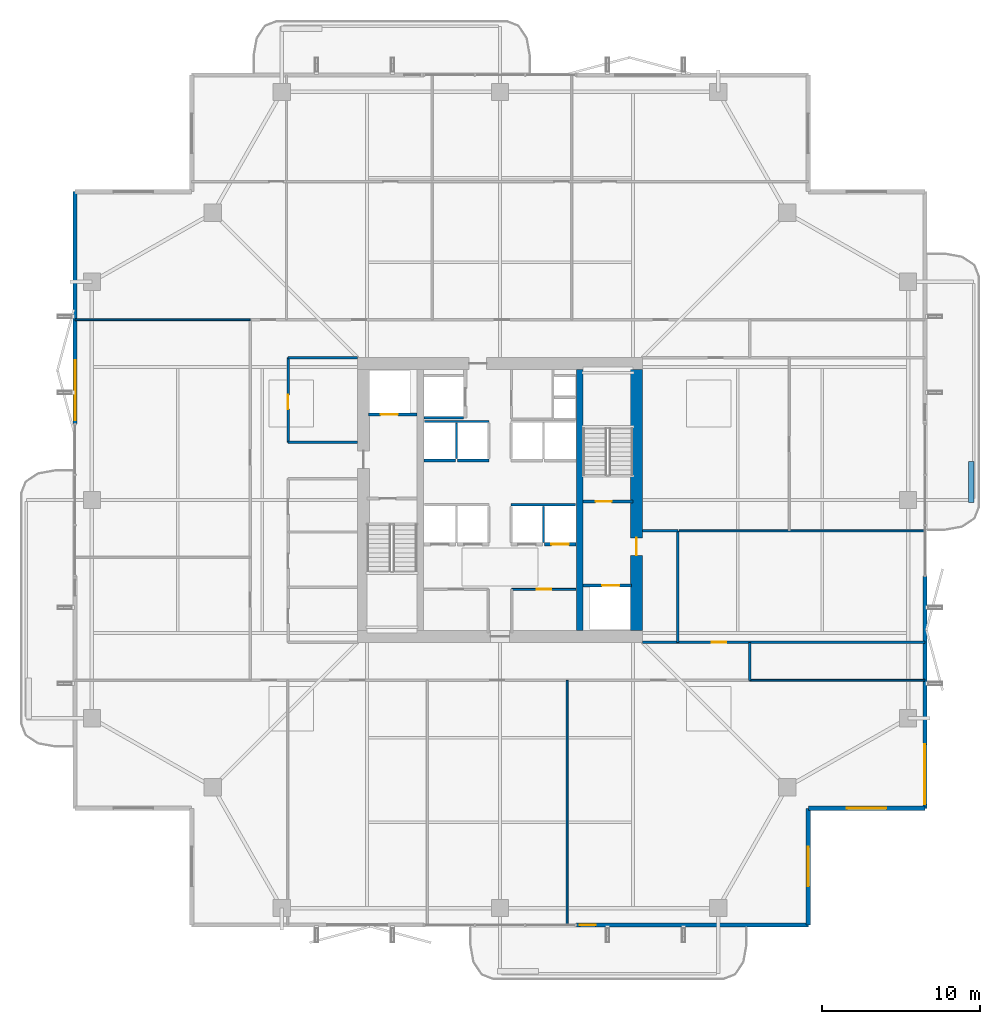
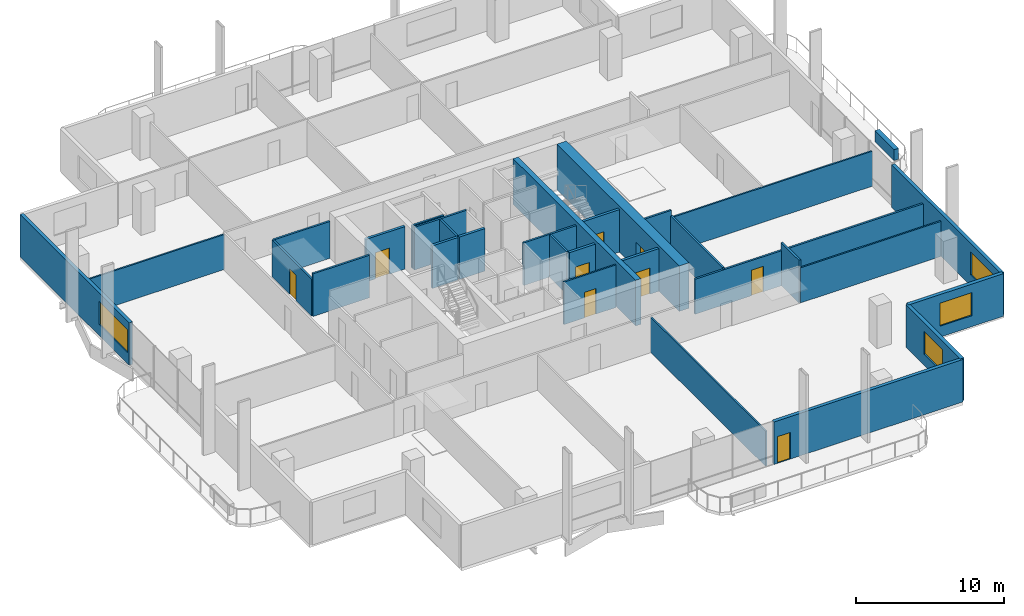
# One storey, part 18 of 24: 31 walls, 9 doors, 4 windows, 13 openings.
"""IFC4 building model written with IfcOpenShell, lengths in metres."""

from ifc_helpers import new_model, si_unit, direction, frame, frame_2d, origin, place, context, subcontext, project, spatial, rectangle, extrude, material, layer, layer_set, type_object, element, fill, save


model = new_model("IFC4")

# Units and contexts
model_context = context("Model", 3, precision=1e-05, world=origin(), true_north=direction((0.0, 1.0)))
body_context = subcontext(model_context, "Body", "Model", "MODEL_VIEW")
ifc_project = project(units=[si_unit("LENGTHUNIT", "METRE"), si_unit("AREAUNIT", "SQUARE_METRE"), si_unit("VOLUMEUNIT", "CUBIC_METRE"), si_unit("PLANEANGLEUNIT", "RADIAN"), si_unit("MASSUNIT", "GRAM", prefix="KILO")], contexts=[model_context])

# Site, building, storey
site_placement = place(None, origin())
site = spatial("IfcSite", under=ifc_project, at=site_placement, CompositionType="ELEMENT")
building_placement = place(site_placement, origin())
building = spatial("IfcBuilding", under=site, at=building_placement, Name="Belovzor Exchange Tower", CompositionType="ELEMENT")
storey_placement = place(building_placement, frame((0.0, 0.0, 203.699951171875)))
storey = spatial("IfcBuildingStorey", under=building, at=storey_placement, Name="L50", CompositionType="ELEMENT", Elevation=203.699951171875)

# Walls
ifc_material_1 = material(Name="Acoustic Plasterboard on Galvanised Studs", Category="gypsum")
ifc_layer_1 = layer(ifc_material_1, 0.1201171875)
ifc_layer_set_1 = layer_set([ifc_layer_1], Name="Acoustic Plasterboard on Galvanised Studs")
wall_type_1 = type_object("IfcWallType", Name="Acoustic Double-Stud Partition Wall 120", PredefinedType="PARTITIONING", material=ifc_layer_set_1)
wall_1_placement = place(storey_placement, frame((33.0400390625, 1.929931640625, 0.0), z_axis=(0.0, 0.0, 1.0), x_axis=(0.0, 1.0, 0.0)))
element("IfcWall", 1, at=wall_1_placement, inside=storey, type_object=wall_type_1, Name="W-P120 Partition Wall W-L50-SDIV-3", PredefinedType="PARTITIONING", context=body_context, shape_type="SweptSolid", body=[
    extrude(rectangle(XDim=15.469970703125, YDim=0.1201171875, at=frame_2d((7.73486328125, 0.0))), origin(), (0.0, 0.0, 1.0), 2.885009765625),
])
wall_2_placement = place(storey_placement, frame((40.125, 26.85009765625, 0.0), z_axis=(0.0, 0.0, 1.0), x_axis=(1.0, 0.0, 0.0)))
element("IfcWall", 2, at=wall_2_placement, inside=storey, type_object=wall_type_1, Name="W-P120 Partition Wall W-L50-EDIV-1", PredefinedType="PARTITIONING", context=body_context, shape_type="SweptSolid", body=[
    extrude(rectangle(XDim=15.544921875, YDim=0.1201171875, at=frame_2d((7.7724609375, 0.0))), origin(), (0.0, 0.0, 1.0), 2.885009765625),
])
wall_3_placement = place(storey_placement, frame((44.60009765625, 17.39990234375, 0.0), z_axis=(0.0, 0.0, 1.0), x_axis=(1.0, 0.0, 0.0)))
element("IfcWall", 3, at=wall_3_placement, inside=storey, type_object=wall_type_1, Name="W-P120 Partition Wall W-L50-END-SE", PredefinedType="PARTITIONING", context=body_context, shape_type="SweptSolid", body=[
    extrude(rectangle(XDim=11.06982421875, YDim=0.1201171875, at=frame_2d((5.534912109375, 0.0))), origin(), (0.0, 0.0, 1.0), 2.885009765625),
])
wall_4_placement = place(storey_placement, frame((1.929931640625, 40.199951171875, 0.0), z_axis=(0.0, 0.0, 1.0), x_axis=(1.0, 0.0, 0.0)))
element("IfcWall", 4, at=wall_4_placement, inside=storey, type_object=wall_type_1, Name="W-P120 Partition Wall W-L50-END-NW", PredefinedType="PARTITIONING", context=body_context, shape_type="SweptSolid", body=[
    extrude(rectangle(XDim=11.070068359375, YDim=0.1201171875, at=frame_2d((5.53515625, 0.0))), origin(), (0.0, 0.0, 1.0), 2.885009765625),
])

# Wall, opening, door
ifc_material_2 = material(Name="Fire-Rated Plasterboard on Galvanised Studs", Category="gypsum")
ifc_layer_2 = layer(ifc_material_2, 0.1201171875)
ifc_layer_set_2 = layer_set([ifc_layer_2], Name="Fire-Rated Plasterboard on Galvanised Studs")
wall_type_2 = type_object("IfcWallType", Name="Fire-Rated Double-Stud Partition Wall 120", PredefinedType="PARTITIONING", material=ifc_layer_set_2)
wall_5_placement = place(storey_placement, frame((29.550048828125, 23.14990234375, 0.0), z_axis=(0.0, 0.0, 1.0), x_axis=(1.0, 0.0, 0.0)))
wall_5 = element("IfcWall", 5, at=wall_5_placement, inside=storey, type_object=wall_type_2, Name="W-P120F Partition Wall W-CRL-L50-EN", PredefinedType="PARTITIONING", context=body_context, shape_type="SweptSolid", body=[
    extrude(rectangle(XDim=4.050048828125, YDim=0.1201171875, at=frame_2d((2.02490234375, 0.0))), origin(), (0.0, 0.0, 1.0), 3.5),
])
opening_1_placement = place(wall_5_placement, frame((1.574951171875, 0.0, 0.0)))
opening_1 = element("IfcOpeningElement", 6, at=opening_1_placement, cuts=wall_5, Name="Opening D-FD60-090", PredefinedType="OPENING", context=body_context, shape_type="SweptSolid", body=[
    extrude(rectangle(XDim=0.89990234375, YDim=2.10009765625, at=frame_2d((0.449951171875, 1.050048828125))), frame((0.0, 0.070068359375, 0.0), z_axis=(0.0, -1.0, 0.0), x_axis=(1.0, 0.0, 0.0)), (0.0, 0.0, 1.0), 0.14013671875),
])
ifc_material_3 = material(Name="Acoustic Timber Fire Leaf", Category="wood")
door_type_1 = type_object("IfcDoorType", Name="Core Service & Restroom Fire Door 900x2100", OperationType="NOTDEFINED", PredefinedType="DOOR", material=ifc_material_3)
door_1_placement = place(opening_1_placement, origin())
door_1 = element("IfcDoor", 7, at=door_1_placement, inside=storey, type_object=door_type_1, Name="D-FD60-090 Core Service & Restroom Fire Door 900x2100", OperationType="SINGLE_SWING_RIGHT", OverallHeight=2.10009765625, OverallWidth=0.89990234375, PredefinedType="DOOR", context=body_context, shape_type="SweptSolid", body=[
    extrude(rectangle(XDim=0.89990234375, YDim=2.10009765625, at=frame_2d((0.449951171875, 1.050048828125))), frame((0.0, 0.02490234375, 0.0), z_axis=(0.0, -1.0, 0.0), x_axis=(1.0, 0.0, 0.0)), (0.0, 0.0, 1.0), 0.050048828125),
])
fill(opening_1, door_1)

# Walls
ifc_material_4 = material(Name="Fire-Rated Gypsum Block and Mineral Wool", Category="gypsum")
ifc_layer_3 = layer(ifc_material_4, 0.14990234375)
ifc_layer_set_3 = layer_set([ifc_layer_3], Name="Fire-Rated Gypsum Block and Mineral Wool")
wall_type_3 = type_object("IfcWallType", Name="Fire-Rated Gypsum Block Corridor Wall 150", PredefinedType="PARTITIONING", material=ifc_layer_set_3)
wall_6_placement = place(storey_placement, frame((15.39990234375, 32.449951171875, 0.0), z_axis=(0.0, 0.0, 1.0), x_axis=(1.0, 0.0, 0.0)))
element("IfcWall", 8, at=wall_6_placement, inside=storey, type_object=wall_type_3, Name="W-P150 Partition Wall W-L50-CFW-N", PredefinedType="PARTITIONING", context=body_context, shape_type="SweptSolid", body=[
    extrude(rectangle(XDim=4.400146484375, YDim=0.14990234375, at=frame_2d((2.2001953125, 0.0))), origin(), (0.0, 0.0, 1.0), 3.5),
])
wall_7_placement = place(storey_placement, frame((15.39990234375, 37.800048828125, 0.0), z_axis=(0.0, 0.0, 1.0), x_axis=(1.0, 0.0, 0.0)))
element("IfcWall", 9, at=wall_7_placement, inside=storey, type_object=wall_type_3, Name="W-P150 Partition Wall W-L50-INW-N", PredefinedType="PARTITIONING", context=body_context, shape_type="SweptSolid", body=[
    extrude(rectangle(XDim=4.400146484375, YDim=0.14990234375, at=frame_2d((2.2001953125, 0.0))), origin(), (0.0, 0.0, 1.0), 3.03515625),
])

# Wall, opening, door
wall_8_placement = place(storey_placement, frame((15.39990234375, 32.449951171875, 0.0), z_axis=(0.0, 0.0, 1.0), x_axis=(0.0, 1.0, 0.0)))
wall_8 = element("IfcWall", 10, at=wall_8_placement, inside=storey, type_object=wall_type_3, Name="W-P150 Partition Wall W-L50-WIE-N", PredefinedType="PARTITIONING", context=body_context, shape_type="SweptSolid", body=[
    extrude(rectangle(XDim=5.35009765625, YDim=0.14990234375, at=frame_2d((2.675048828125, 0.0))), origin(), (0.0, 0.0, 1.0), 3.03515625),
])
opening_2_placement = place(wall_8_placement, frame((2.10009765625, 0.0, 0.0)))
opening_2 = element("IfcOpeningElement", 11, at=opening_2_placement, cuts=wall_8, Name="Opening D-FD60-090", PredefinedType="OPENING", context=body_context, shape_type="SweptSolid", body=[
    extrude(rectangle(XDim=0.89990234375, YDim=2.10009765625, at=frame_2d((0.449951171875, 1.050048828125))), frame((0.0, 0.0849609375, 0.0), z_axis=(0.0, -1.0, 0.0), x_axis=(1.0, 0.0, 0.0)), (0.0, 0.0, 1.0), 0.169921875),
])
door_2_placement = place(opening_2_placement, origin())
door_2 = element("IfcDoor", 12, at=door_2_placement, inside=storey, type_object=door_type_1, Name="D-FD60-090 Core Service & Restroom Fire Door 900x2100", OperationType="SINGLE_SWING_LEFT", OverallHeight=2.10009765625, OverallWidth=0.89990234375, PredefinedType="DOOR", context=body_context, shape_type="SweptSolid", body=[
    extrude(rectangle(XDim=0.89990234375, YDim=2.10009765625, at=frame_2d((0.449951171875, 1.050048828125))), frame((0.0, 0.02490234375, 0.0), z_axis=(0.0, -1.0, 0.0), x_axis=(1.0, 0.0, 0.0)), (0.0, 0.0, 1.0), 0.050048828125),
])
fill(opening_2, door_2)

# Walls
wall_9_placement = place(storey_placement, frame((37.800048828125, 26.85009765625, 0.0), z_axis=(0.0, 0.0, 1.0), x_axis=(1.0, 0.0, 0.0)))
element("IfcWall", 13, at=wall_9_placement, inside=storey, type_object=wall_type_3, Name="W-P150 Partition Wall W-L50-CFE-N", PredefinedType="PARTITIONING", context=body_context, shape_type="SweptSolid", body=[
    extrude(rectangle(XDim=2.25, YDim=0.14990234375, at=frame_2d((1.125, 0.0))), origin(), (0.0, 0.0, 1.0), 3.5),
])
wall_10_placement = place(storey_placement, frame((40.050048828125, 19.800048828125, 0.0), z_axis=(0.0, 0.0, 1.0), x_axis=(0.0, 1.0, 0.0)))
element("IfcWall", 14, at=wall_10_placement, inside=storey, type_object=wall_type_3, Name="W-P150 Partition Wall W-L50-CFE-E", PredefinedType="PARTITIONING", context=body_context, shape_type="SweptSolid", body=[
    extrude(rectangle(XDim=7.050048828125, YDim=0.14990234375, at=frame_2d((3.52490234375, 0.0))), origin(), (0.0, 0.0, 1.0), 3.03515625),
])
wall_11_placement = place(storey_placement, frame((44.60009765625, 17.39990234375, 0.0), z_axis=(0.0, 0.0, 1.0), x_axis=(0.0, 1.0, 0.0)))
element("IfcWall", 15, at=wall_11_placement, inside=storey, type_object=wall_type_3, Name="W-P150 Partition Wall W-L50-END-ES", PredefinedType="PARTITIONING", context=body_context, shape_type="SweptSolid", body=[
    extrude(rectangle(XDim=2.400146484375, YDim=0.14990234375, at=frame_2d((1.2001953125, 0.0))), origin(), (0.0, 0.0, 1.0), 3.5),
])

# Wall, opening, door
wall_12_placement = place(storey_placement, frame((37.800048828125, 19.800048828125, 0.0), z_axis=(0.0, 0.0, 1.0), x_axis=(1.0, 0.0, 0.0)))
wall_12 = element("IfcWall", 16, at=wall_12_placement, inside=storey, type_object=wall_type_3, Name="W-P150 Partition Wall W-L50-CS-IN", PredefinedType="PARTITIONING", context=body_context, shape_type="SweptSolid", body=[
    extrude(rectangle(XDim=17.869873046875, YDim=0.14990234375, at=frame_2d((8.93505859375, 0.0))), origin(), (0.0, 0.0, 1.0), 2.885009765625),
])
opening_3_placement = place(wall_12_placement, frame((4.39990234375, 0.0, 0.0)))
opening_3 = element("IfcOpeningElement", 17, at=opening_3_placement, cuts=wall_12, Name="Opening D-INT-090", PredefinedType="OPENING", context=body_context, shape_type="SweptSolid", body=[
    extrude(rectangle(XDim=0.89990234375, YDim=2.10009765625, at=frame_2d((0.449951171875, 1.050048828125))), frame((0.0, 0.0849609375, 0.0), z_axis=(0.0, -1.0, 0.0), x_axis=(1.0, 0.0, 0.0)), (0.0, 0.0, 1.0), 0.169921875),
])
ifc_material_5 = material(Name="Veneered Hardwood Acoustic Leaf", Category="wood")
door_type_2 = type_object("IfcDoorType", Name="Trading Suite Acoustic Single Door 900x2100", OperationType="NOTDEFINED", PredefinedType="DOOR", material=ifc_material_5)
door_3_placement = place(opening_3_placement, origin())
door_3 = element("IfcDoor", 18, at=door_3_placement, inside=storey, type_object=door_type_2, Name="D-INT-090 Trading Suite Acoustic Single Door 900x2100", OperationType="SINGLE_SWING_LEFT", OverallHeight=2.10009765625, OverallWidth=0.89990234375, PredefinedType="DOOR", context=body_context, shape_type="SweptSolid", body=[
    extrude(rectangle(XDim=0.89990234375, YDim=2.10009765625, at=frame_2d((0.449951171875, 1.050048828125))), frame((0.0, 0.02490234375, 0.0), z_axis=(0.0, -1.0, 0.0), x_axis=(1.0, 0.0, 0.0)), (0.0, 0.0, 1.0), 0.050048828125),
])
fill(opening_3, door_3)

# Wall, opening, window
ifc_material_6 = material(Name="Precast concrete C40/50", Category="concrete")
ifc_layer_4 = layer(ifc_material_6, 0.280029296875)
ifc_layer_set_4 = layer_set([ifc_layer_4], Name="Precast concrete C40/50")
wall_type_4 = type_object("IfcWallType", Name="Precast Concrete Notched Corner Frame Wall 280", PredefinedType="SOLIDWALL", material=ifc_layer_set_4)
wall_13_placement = place(storey_placement, frame((55.669921875, 9.300048828125, 0.0), z_axis=(0.0, 0.0, 1.0), x_axis=(-1.0, 0.0, 0.0)))
wall_13 = element("IfcWall", 19, at=wall_13_placement, inside=storey, type_object=wall_type_4, Name="W-CRN280 Precast Concrete Notched Corner Frame Wall 280 L50", PredefinedType="SOLIDWALL", context=body_context, shape_type="SweptSolid", body=[
    extrude(rectangle(XDim=7.369873046875, YDim=0.280029296875, at=frame_2d((3.68505859375, 0.0))), origin(), (0.0, 0.0, 1.0), 3.5),
])
opening_4_placement = place(wall_13_placement, frame((2.43505859375, 0.0, 0.89990234375)))
opening_4 = element("IfcOpeningElement", 20, at=opening_4_placement, cuts=wall_13, Name="Opening WN-CRN250", PredefinedType="OPENING", context=body_context, shape_type="SweptSolid", body=[
    extrude(rectangle(XDim=2.5, YDim=1.89990234375, at=frame_2d((1.25, 0.949951171875))), frame((0.0, 0.14990234375, 0.0), z_axis=(0.0, -1.0, 0.0), x_axis=(1.0, 0.0, 0.0)), (0.0, 0.0, 1.0), 0.300048828125),
])
ifc_material_7 = material(Name="Thermally Broken Aluminium and Triple Glazing", Category="aluminium")
window_type_1 = type_object("IfcWindowType", Name="Streamline Moderne Corner Wrap Ribbon Window 2500x1900", PartitioningType="SINGLE_PANEL", PredefinedType="WINDOW", material=ifc_material_7)
window_1_placement = place(opening_4_placement, origin())
window_1 = element("IfcWindow", 21, at=window_1_placement, inside=storey, type_object=window_type_1, Name="WN-CRN250 Streamline Moderne Corner Wrap Ribbon Window 2500x1900", OverallHeight=1.89990234375, OverallWidth=2.5, PartitioningType="SINGLE_PANEL", PredefinedType="WINDOW", context=body_context, shape_type="SweptSolid", body=[
    extrude(rectangle(XDim=2.5, YDim=1.89990234375, at=frame_2d((1.25, 0.949951171875))), frame((0.0, 0.030029296875, 0.0), z_axis=(0.0, -1.0, 0.0), x_axis=(1.0, 0.0, 0.0)), (0.0, 0.0, 1.0), 0.06005859375),
])
fill(opening_4, window_1)

wall_14_placement = place(storey_placement, frame((48.300048828125, 9.300048828125, 0.0), z_axis=(0.0, 0.0, 1.0), x_axis=(0.0, -1.0, 0.0)))
wall_14 = element("IfcWall", 22, at=wall_14_placement, inside=storey, type_object=wall_type_4, Name="W-CRN280 Precast Concrete Notched Corner Frame Wall 280 L50", PredefinedType="SOLIDWALL", context=body_context, shape_type="SweptSolid", body=[
    extrude(rectangle(XDim=7.3701171875, YDim=0.280029296875, at=frame_2d((3.68505859375, 0.0))), origin(), (0.0, 0.0, 1.0), 3.5),
])
opening_5_placement = place(wall_14_placement, frame((2.43505859375, 0.0, 0.89990234375)))
opening_5 = element("IfcOpeningElement", 23, at=opening_5_placement, cuts=wall_14, Name="Opening WN-CRN250", PredefinedType="OPENING", context=body_context, shape_type="SweptSolid", body=[
    extrude(rectangle(XDim=2.5, YDim=1.89990234375, at=frame_2d((1.25, 0.949951171875))), frame((0.0, 0.14990234375, 0.0), z_axis=(0.0, -1.0, 0.0), x_axis=(1.0, 0.0, 0.0)), (0.0, 0.0, 1.0), 0.300048828125),
])
window_2_placement = place(opening_5_placement, origin())
window_2 = element("IfcWindow", 24, at=window_2_placement, inside=storey, type_object=window_type_1, Name="WN-CRN250 Streamline Moderne Corner Wrap Ribbon Window 2500x1900", OverallHeight=1.89990234375, OverallWidth=2.5, PartitioningType="SINGLE_PANEL", PredefinedType="WINDOW", context=body_context, shape_type="SweptSolid", body=[
    extrude(rectangle(XDim=2.5, YDim=1.89990234375, at=frame_2d((1.25, 0.949951171875))), frame((0.0, 0.030029296875, 0.0), z_axis=(0.0, -1.0, 0.0), x_axis=(1.0, 0.0, 0.0)), (0.0, 0.0, 1.0), 0.06005859375),
])
fill(opening_5, window_2)

# Wall, opening, door
ifc_material_8 = material(Name="Precast concrete C40/50", Category="concrete")
ifc_layer_5 = layer(ifc_material_8, 0.260009765625)
ifc_layer_set_5 = layer_set([ifc_layer_5], Name="Precast concrete C40/50")
wall_type_5 = type_object("IfcWallType", Name="Precast Concrete Perimeter Loggia Frame Wall 260", PredefinedType="SOLIDWALL", material=ifc_layer_set_5)
wall_15_placement = place(storey_placement, frame((48.300048828125, 1.929931640625, 0.0), z_axis=(0.0, 0.0, 1.0), x_axis=(-1.0, 0.0, 0.0)))
wall_15 = element("IfcWall", 25, at=wall_15_placement, inside=storey, type_object=wall_type_5, Name="W-EXT260 Precast Concrete Perimeter Loggia Frame Wall 260 L50", PredefinedType="SOLIDWALL", context=body_context, shape_type="SweptSolid", body=[
    extrude(rectangle(XDim=14.699951171875, YDim=0.260009765625, at=frame_2d((7.35009765625, 0.0))), origin(), (0.0, 0.0, 1.0), 3.5),
])
opening_6_placement = place(wall_15_placement, frame((13.449951171875, 0.0, 0.0)))
opening_6 = element("IfcOpeningElement", 26, at=opening_6_placement, cuts=wall_15, Name="Opening D-BAL100", PredefinedType="OPENING", context=body_context, shape_type="SweptSolid", body=[
    extrude(rectangle(XDim=1.0, YDim=2.199951171875, at=frame_2d((0.5, 1.10009765625))), frame((0.0, 0.139892578125, 0.0), z_axis=(0.0, -1.0, 0.0), x_axis=(1.0, 0.0, 0.0)), (0.0, 0.0, 1.0), 0.280029296875),
])
ifc_material_9 = material(Name="Thermally Broken Anodised Aluminium and Laminated Glass", Category="aluminium")
door_type_3 = type_object("IfcDoorType", Name="Planted Loggia Terrace Glazed Door 1000x2200", OperationType="SINGLE_SWING_LEFT", PredefinedType="DOOR", material=ifc_material_9)
door_4_placement = place(opening_6_placement, origin())
door_4 = element("IfcDoor", 27, at=door_4_placement, inside=storey, type_object=door_type_3, Name="D-BAL100 Balcony Terrace Door L50 S", OperationType="SINGLE_SWING_LEFT", OverallHeight=2.199951171875, OverallWidth=1.0, PredefinedType="DOOR", context=body_context, shape_type="SweptSolid", body=[
    extrude(rectangle(XDim=1.0, YDim=2.199951171875, at=frame_2d((0.5, 1.10009765625))), frame((0.0, 0.02490234375, 0.0), z_axis=(0.0, -1.0, 0.0), x_axis=(1.0, 0.0, 0.0)), (0.0, 0.0, 1.0), 0.050048828125),
])
fill(opening_6, door_4)

# Wall, opening, window
wall_16_placement = place(storey_placement, frame((1.929931640625, 33.60009765625, 0.0), z_axis=(0.0, 0.0, 1.0), x_axis=(0.0, 1.0, 0.0)))
wall_16 = element("IfcWall", 28, at=wall_16_placement, inside=storey, type_object=wall_type_5, Name="W-EXT260 Precast Concrete Perimeter Loggia Frame Wall 260 L50", PredefinedType="SOLIDWALL", context=body_context, shape_type="SweptSolid", body=[
    extrude(rectangle(XDim=14.699951171875, YDim=0.260009765625, at=frame_2d((7.35009765625, 0.0))), origin(), (0.0, 0.0, 1.0), 3.5),
])
opening_7_placement = place(wall_16_placement, frame((0.25, 0.0, 0.89990234375)))
opening_7 = element("IfcOpeningElement", 29, at=opening_7_placement, cuts=wall_16, Name="Opening WN-RIB380", PredefinedType="OPENING", context=body_context, shape_type="SweptSolid", body=[
    extrude(rectangle(XDim=3.800048828125, YDim=1.89990234375, at=frame_2d((1.89990234375, 0.949951171875))), frame((0.0, 0.139892578125, 0.0), z_axis=(0.0, -1.0, 0.0), x_axis=(1.0, 0.0, 0.0)), (0.0, 0.0, 1.0), 0.280029296875),
])
ifc_material_10 = material(Name="Thermally Broken Aluminium and Triple Glazing", Category="aluminium")
window_type_2 = type_object("IfcWindowType", Name="Streamline Moderne Horizontal Ribbon Window 3800x1900", PartitioningType="SINGLE_PANEL", PredefinedType="WINDOW", material=ifc_material_10)
window_3_placement = place(opening_7_placement, origin())
window_3 = element("IfcWindow", 30, at=window_3_placement, inside=storey, type_object=window_type_2, Name="WN-RIB380 Streamline Moderne Horizontal Ribbon Window 3800x1900", OverallHeight=1.89990234375, OverallWidth=3.800048828125, PartitioningType="SINGLE_PANEL", PredefinedType="WINDOW", context=body_context, shape_type="SweptSolid", body=[
    extrude(rectangle(XDim=3.800048828125, YDim=1.89990234375, at=frame_2d((1.89990234375, 0.949951171875))), frame((0.0, 0.030029296875, 0.0), z_axis=(0.0, -1.0, 0.0), x_axis=(1.0, 0.0, 0.0)), (0.0, 0.0, 1.0), 0.06005859375),
])
fill(opening_7, window_3)

wall_17_placement = place(storey_placement, frame((55.669921875, 24.0, 0.0), z_axis=(0.0, 0.0, 1.0), x_axis=(0.0, -1.0, 0.0)))
wall_17 = element("IfcWall", 31, at=wall_17_placement, inside=storey, type_object=wall_type_5, Name="W-EXT260 Precast Concrete Perimeter Loggia Frame Wall 260 L50", PredefinedType="SOLIDWALL", context=body_context, shape_type="SweptSolid", body=[
    extrude(rectangle(XDim=14.699951171875, YDim=0.260009765625, at=frame_2d((7.35009765625, 0.0))), origin(), (0.0, 0.0, 1.0), 3.5),
])
opening_8_placement = place(wall_17_placement, frame((10.64990234375, 0.0, 0.89990234375)))
opening_8 = element("IfcOpeningElement", 32, at=opening_8_placement, cuts=wall_17, Name="Opening WN-RIB380", PredefinedType="OPENING", context=body_context, shape_type="SweptSolid", body=[
    extrude(rectangle(XDim=3.800048828125, YDim=1.89990234375, at=frame_2d((1.89990234375, 0.949951171875))), frame((0.0, 0.139892578125, 0.0), z_axis=(0.0, -1.0, 0.0), x_axis=(1.0, 0.0, 0.0)), (0.0, 0.0, 1.0), 0.280029296875),
])
window_4_placement = place(opening_8_placement, origin())
window_4 = element("IfcWindow", 33, at=window_4_placement, inside=storey, type_object=window_type_2, Name="WN-RIB380 Streamline Moderne Horizontal Ribbon Window 3800x1900", OverallHeight=1.89990234375, OverallWidth=3.800048828125, PartitioningType="SINGLE_PANEL", PredefinedType="WINDOW", context=body_context, shape_type="SweptSolid", body=[
    extrude(rectangle(XDim=3.800048828125, YDim=1.89990234375, at=frame_2d((1.89990234375, 0.949951171875))), frame((0.0, 0.030029296875, 0.0), z_axis=(0.0, -1.0, 0.0), x_axis=(1.0, 0.0, 0.0)), (0.0, 0.0, 1.0), 0.06005859375),
])
fill(opening_8, window_4)

# Walls
ifc_material_11 = material(Name="Precast concrete C40/50", Category="concrete")
ifc_layer_6 = layer(ifc_material_11, 0.35009765625)
ifc_layer_set_6 = layer_set([ifc_layer_6], Name="Precast concrete C40/50")
wall_type_6 = type_object("IfcWallType", Name="Precast Concrete Structural Tree Planter Trough 350", PredefinedType="PARAPET", material=ifc_layer_set_6)
wall_18_placement = place(storey_placement, frame((58.60009765625, 28.64990234375, 0.0), z_axis=(0.0, 0.0, 1.0), x_axis=(0.0, 1.0, 0.0)))
element("IfcWall", 34, at=wall_18_placement, inside=storey, type_object=wall_type_6, Name="PT-350 Precast Concrete Structural Tree Planter Trough 350 L50", PredefinedType="PARAPET", context=body_context, shape_type="SweptSolid", body=[
    extrude(rectangle(XDim=2.60009765625, YDim=0.35009765625, at=frame_2d((1.300048828125, 0.0))), origin(), (0.0, 0.0, 1.0), 0.900146484375),
])
ifc_material_12 = material(Name="Concrete C50/60", Category="concrete")
ifc_layer_7 = layer(ifc_material_12, 0.39990234375)
ifc_layer_set_7 = layer_set([ifc_layer_7], Name="Concrete C50/60")
wall_type_7 = type_object("IfcWallType", Name="Reinforced Concrete Core Internal Web Wall 400", PredefinedType="SHEAR", material=ifc_layer_set_7)
wall_19_placement = place(storey_placement, frame((33.85009765625, 20.550048828125, 0.0), z_axis=(0.0, 0.0, 1.0), x_axis=(0.0, 1.0, 0.0)))
element("IfcWall", 35, at=wall_19_placement, inside=storey, type_object=wall_type_7, Name="CW-W040 Core Internal Web Wall L50 ER", PredefinedType="SHEAR", context=body_context, shape_type="SweptSolid", body=[
    extrude(rectangle(XDim=16.5, YDim=0.39990234375, at=frame_2d((8.25, 0.0))), origin(), (0.0, 0.0, 1.0), 3.75),
])
ifc_material_13 = material(Name="Concrete C50/60", Category="concrete")
ifc_layer_8 = layer(ifc_material_13, 0.14990234375)
ifc_layer_set_8 = layer_set([ifc_layer_8], Name="Concrete C50/60")
wall_type_8 = type_object("IfcWallType", Name="Reinforced Concrete Core Riser Shear Wall 150", PredefinedType="SHEAR", material=ifc_layer_set_8)
wall_20_placement = place(storey_placement, frame((24.0, 34.0, 0.0), z_axis=(0.0, 0.0, 1.0), x_axis=(1.0, 0.0, 0.0)))
element("IfcWall", 36, at=wall_20_placement, inside=storey, type_object=wall_type_8, Name="W-C150S Core Shaft Wall W-SH-L50-SL-01S", PredefinedType="SHEAR", context=body_context, shape_type="SweptSolid", body=[
    extrude(rectangle(XDim=2.47998046875, YDim=0.14990234375, at=frame_2d((1.239990234375, 0.0))), origin(), (0.0, 0.0, 1.0), 3.5),
])
wall_21_placement = place(storey_placement, frame((29.5, 28.5, 0.0), z_axis=(0.0, 0.0, 1.0), x_axis=(1.0, 0.0, 0.0)))
element("IfcWall", 37, at=wall_21_placement, inside=storey, type_object=wall_type_8, Name="W-C150S Core Shaft Wall W-SHB-L50-PLM-NE", PredefinedType="SHEAR", context=body_context, shape_type="SweptSolid", body=[
    extrude(rectangle(XDim=4.080078125, YDim=0.14990234375, at=frame_2d((2.0400390625, 0.0))), origin(), (0.0, 0.0, 1.0), 3.5),
])
wall_22_placement = place(storey_placement, frame((31.550048828125, 26.1201171875, 0.0), z_axis=(0.0, 0.0, 1.0), x_axis=(0.0, 1.0, 0.0)))
element("IfcWall", 38, at=wall_22_placement, inside=storey, type_object=wall_type_8, Name="W-C150S Core Shaft Wall W-SHD-L50-PLM-4", PredefinedType="SHEAR", context=body_context, shape_type="SweptSolid", body=[
    extrude(rectangle(XDim=2.27978515625, YDim=0.14990234375, at=frame_2d((1.139892578125, 0.0))), origin(), (0.0, 0.0, 1.0), 3.5),
])
wall_23_placement = place(storey_placement, frame((24.02001953125, 33.760009765625, 0.0), z_axis=(0.0, 0.0, 1.0), x_axis=(1.0, 0.0, 0.0)))
element("IfcWall", 39, at=wall_23_placement, inside=storey, type_object=wall_type_8, Name="W-C150S Core Shaft Wall W-SHB-L50-PLH-NW", PredefinedType="SHEAR", context=body_context, shape_type="SweptSolid", body=[
    extrude(rectangle(XDim=4.080078125, YDim=0.14990234375, at=frame_2d((2.0400390625, 0.0))), origin(), (0.0, 0.0, 1.0), 3.5),
])
wall_24_placement = place(storey_placement, frame((26.050048828125, 31.419921875, 0.0), z_axis=(0.0, 0.0, 1.0), x_axis=(0.0, 1.0, 0.0)))
element("IfcWall", 40, at=wall_24_placement, inside=storey, type_object=wall_type_8, Name="W-C150S Core Shaft Wall W-SHD-L50-PLH-1", PredefinedType="SHEAR", context=body_context, shape_type="SweptSolid", body=[
    extrude(rectangle(XDim=2.239990234375, YDim=0.14990234375, at=frame_2d((1.1201171875, 0.0))), origin(), (0.0, 0.0, 1.0), 3.5),
])

# Wall, opening, door
ifc_material_14 = material(Name="Concrete C50/60", Category="concrete")
ifc_layer_9 = layer(ifc_material_14, 0.199951171875)
ifc_layer_set_9 = layer_set([ifc_layer_9], Name="Concrete C50/60")
wall_type_9 = type_object("IfcWallType", Name="Reinforced Concrete Core Shaft Shear Wall 200", PredefinedType="SHEAR", material=ifc_layer_set_9)
wall_25_placement = place(storey_placement, frame((34.050048828125, 28.699951171875, 0.0), z_axis=(0.0, 0.0, 1.0), x_axis=(1.0, 0.0, 0.0)))
wall_25 = element("IfcWall", 41, at=wall_25_placement, inside=storey, type_object=wall_type_9, Name="W-C200S Core Shaft Wall W-CORE-L50-FFLE2", PredefinedType="SHEAR", context=body_context, shape_type="SweptSolid", body=[
    extrude(rectangle(XDim=3.14990234375, YDim=0.199951171875, at=frame_2d((1.574951171875, 0.0))), origin(), (0.0, 0.0, 1.0), 3.5),
])
opening_9_placement = place(wall_25_placement, frame((0.800048828125, 0.0, 0.0)))
opening_9 = element("IfcOpeningElement", 42, at=opening_9_placement, cuts=wall_25, Name="Opening D-FD90-100", PredefinedType="OPENING", context=body_context, shape_type="SweptSolid", body=[
    extrude(rectangle(XDim=1.0, YDim=2.10009765625, at=frame_2d((0.5, 1.050048828125))), frame((0.0, 0.10986328125, 0.0), z_axis=(0.0, -1.0, 0.0), x_axis=(1.0, 0.0, 0.0)), (0.0, 0.0, 1.0), 0.219970703125),
])
ifc_material_15 = material(Name="Fire-Rated Galvanised Steel Leaf", Category="steel")
door_type_4 = type_object("IfcDoorType", Name="Protected Stairwell Single Fire Door 1000x2100", OperationType="NOTDEFINED", PredefinedType="DOOR", material=ifc_material_15)
door_5_placement = place(opening_9_placement, origin())
door_5 = element("IfcDoor", 43, at=door_5_placement, inside=storey, type_object=door_type_4, Name="D-FD90-100 Protected Stairwell Single Fire Door 1000x2100", OperationType="SINGLE_SWING_LEFT", OverallHeight=2.10009765625, OverallWidth=1.0, PredefinedType="DOOR", context=body_context, shape_type="SweptSolid", body=[
    extrude(rectangle(XDim=1.0, YDim=2.10009765625, at=frame_2d((0.5, 1.050048828125))), frame((0.0, 0.02490234375, 0.0), z_axis=(0.0, -1.0, 0.0), x_axis=(1.0, 0.0, 0.0)), (0.0, 0.0, 1.0), 0.050048828125),
])
fill(opening_9, door_5)

wall_26_placement = place(storey_placement, frame((20.5, 34.199951171875, 0.0), z_axis=(0.0, 0.0, 1.0), x_axis=(1.0, 0.0, 0.0)))
wall_26 = element("IfcWall", 44, at=wall_26_placement, inside=storey, type_object=wall_type_9, Name="W-C200S Core Shaft Wall W-SH-L50-FFL-01", PredefinedType="SHEAR", context=body_context, shape_type="SweptSolid", body=[
    extrude(rectangle(XDim=3.050048828125, YDim=0.199951171875, at=frame_2d((1.52490234375, 0.0))), origin(), (0.0, 0.0, 1.0), 3.5),
])
opening_10_placement = place(wall_26_placement, frame((0.75, 0.0, 0.0)))
opening_10 = element("IfcOpeningElement", 45, at=opening_10_placement, cuts=wall_26, Name="Opening LD-110", PredefinedType="OPENING", context=body_context, shape_type="SweptSolid", body=[
    extrude(rectangle(XDim=1.10009765625, YDim=2.14990234375, at=frame_2d((0.550048828125, 1.074951171875))), frame((0.0, 0.10986328125, 0.0), z_axis=(0.0, -1.0, 0.0), x_axis=(1.0, 0.0, 0.0)), (0.0, 0.0, 1.0), 0.219970703125),
])
ifc_material_16 = material(Name="Stainless Steel Grade 304", Category="steel")
door_type_5 = type_object("IfcDoorType", Name="Automated Stainless Steel Lift Landing Door 1100x2150", OperationType="SLIDING_TO_RIGHT", PredefinedType="DOOR", material=ifc_material_16)
door_6_placement = place(opening_10_placement, origin())
door_6 = element("IfcDoor", 46, at=door_6_placement, inside=storey, type_object=door_type_5, Name="LD-110 Automated Stainless Steel Lift Landing Door 1100x2150", OperationType="SLIDING_TO_RIGHT", OverallHeight=2.14990234375, OverallWidth=1.10009765625, PredefinedType="DOOR", context=body_context, shape_type="SweptSolid", body=[
    extrude(rectangle(XDim=1.10009765625, YDim=2.14990234375, at=frame_2d((0.550048828125, 1.074951171875))), frame((0.0, 0.02490234375, 0.0), z_axis=(0.0, -1.0, 0.0), x_axis=(1.0, 0.0, 0.0)), (0.0, 0.0, 1.0), 0.050048828125),
])
fill(opening_10, door_6)

wall_27_placement = place(storey_placement, frame((34.050048828125, 23.39990234375, 0.0), z_axis=(0.0, 0.0, 1.0), x_axis=(1.0, 0.0, 0.0)))
wall_27 = element("IfcWall", 47, at=wall_27_placement, inside=storey, type_object=wall_type_9, Name="W-C200S Core Shaft Wall W-SH-L50-FFL-02", PredefinedType="SHEAR", context=body_context, shape_type="SweptSolid", body=[
    extrude(rectangle(XDim=3.050048828125, YDim=0.199951171875, at=frame_2d((1.52490234375, 0.0))), origin(), (0.0, 0.0, 1.0), 3.5),
])
opening_11_placement = place(wall_27_placement, frame((1.199951171875, 0.0, 0.0)))
opening_11 = element("IfcOpeningElement", 48, at=opening_11_placement, cuts=wall_27, Name="Opening LD-110", PredefinedType="OPENING", context=body_context, shape_type="SweptSolid", body=[
    extrude(rectangle(XDim=1.10009765625, YDim=2.14990234375, at=frame_2d((0.550048828125, 1.074951171875))), frame((0.0, 0.10986328125, 0.0), z_axis=(0.0, -1.0, 0.0), x_axis=(1.0, 0.0, 0.0)), (0.0, 0.0, 1.0), 0.219970703125),
])
door_7_placement = place(opening_11_placement, origin())
door_7 = element("IfcDoor", 49, at=door_7_placement, inside=storey, type_object=door_type_5, Name="LD-110 Automated Stainless Steel Lift Landing Door 1100x2150", OperationType="SLIDING_TO_RIGHT", OverallHeight=2.14990234375, OverallWidth=1.10009765625, PredefinedType="DOOR", context=body_context, shape_type="SweptSolid", body=[
    extrude(rectangle(XDim=1.10009765625, YDim=2.14990234375, at=frame_2d((0.550048828125, 1.074951171875))), frame((0.0, 0.02490234375, 0.0), z_axis=(0.0, -1.0, 0.0), x_axis=(1.0, 0.0, 0.0)), (0.0, 0.0, 1.0), 0.050048828125),
])
fill(opening_11, door_7)

wall_28_placement = place(storey_placement, frame((31.60009765625, 26.0, 0.0), z_axis=(0.0, 0.0, 1.0), x_axis=(1.0, 0.0, 0.0)))
wall_28 = element("IfcWall", 50, at=wall_28_placement, inside=storey, type_object=wall_type_9, Name="W-C200S Core Shaft Wall W-SH-L50-PL-M4", PredefinedType="SHEAR", context=body_context, shape_type="SweptSolid", body=[
    extrude(rectangle(XDim=2.0, YDim=0.199951171875, at=frame_2d((1.0, 0.0))), origin(), (0.0, 0.0, 1.0), 3.5),
])
opening_12_placement = place(wall_28_placement, frame((0.449951171875, 0.0, 0.0)))
opening_12 = element("IfcOpeningElement", 51, at=opening_12_placement, cuts=wall_28, Name="Opening LD-110", PredefinedType="OPENING", context=body_context, shape_type="SweptSolid", body=[
    extrude(rectangle(XDim=1.10009765625, YDim=2.14990234375, at=frame_2d((0.550048828125, 1.074951171875))), frame((0.0, 0.10986328125, 0.0), z_axis=(0.0, -1.0, 0.0), x_axis=(1.0, 0.0, 0.0)), (0.0, 0.0, 1.0), 0.219970703125),
])
door_8_placement = place(opening_12_placement, origin())
door_8 = element("IfcDoor", 52, at=door_8_placement, inside=storey, type_object=door_type_5, Name="LD-110 Automated Stainless Steel Lift Landing Door 1100x2150", OperationType="SLIDING_TO_RIGHT", OverallHeight=2.14990234375, OverallWidth=1.10009765625, PredefinedType="DOOR", context=body_context, shape_type="SweptSolid", body=[
    extrude(rectangle(XDim=1.10009765625, YDim=2.14990234375, at=frame_2d((0.550048828125, 1.074951171875))), frame((0.0, 0.02490234375, 0.0), z_axis=(0.0, -1.0, 0.0), x_axis=(1.0, 0.0, 0.0)), (0.0, 0.0, 1.0), 0.050048828125),
])
fill(opening_12, door_8)

# Walls
for number, where, z_axis, x_axis, name in (
    (53, (24.0, 31.300048828125, 0.0), (0.0, 0.0, 1.0), (1.0, 0.0, 0.0), "W-C200S Core Shaft Wall W-SH-L50-PL-H1"),
    (54, (26.10009765625, 31.300048828125, 0.0), (0.0, 0.0, 1.0), (1.0, 0.0, 0.0), "W-C200S Core Shaft Wall W-SH-L50-PL-H2"),
):
    element("IfcWall", number, at=place(storey_placement, frame(where, z_axis=z_axis, x_axis=x_axis)), inside=storey, type_object=wall_type_9, Name=name, PredefinedType="SHEAR", context=body_context, shape_type="SweptSolid", body=[
        extrude(rectangle(XDim=2.0, YDim=0.199951171875, at=frame_2d((1.0, 0.0))), origin(), (0.0, 0.0, 1.0), 3.5),
    ])

# Wall, opening, door
ifc_material_17 = material(Name="Concrete C50/60", Category="concrete")
ifc_layer_10 = layer(ifc_material_17, 0.75)
ifc_layer_set_10 = layer_set([ifc_layer_10], Name="Concrete C50/60")
wall_type_10 = type_object("IfcWallType", Name="Reinforced Concrete Core Shear Wall 750", PredefinedType="SHEAR", material=ifc_layer_set_10)
wall_29_placement = place(storey_placement, frame((37.425048828125, 20.550048828125, 0.0), z_axis=(0.0, 0.0, 1.0), x_axis=(0.0, 1.0, 0.0)))
wall_29 = element("IfcWall", 55, at=wall_29_placement, inside=storey, type_object=wall_type_10, Name="CW-S075 Core Shear Wall L50 E", PredefinedType="SHEAR", context=body_context, shape_type="SweptSolid", body=[
    extrude(rectangle(XDim=16.5, YDim=0.75, at=frame_2d((8.25, 0.0))), origin(), (0.0, 0.0, 1.0), 3.75),
])
opening_13_placement = place(wall_29_placement, frame((4.75, 0.0, 0.0)))
opening_13 = element("IfcOpeningElement", 56, at=opening_13_placement, cuts=wall_29, Name="Opening D-FD90-110", PredefinedType="OPENING", context=body_context, shape_type="SweptSolid", body=[
    extrude(rectangle(XDim=1.10009765625, YDim=2.14990234375, at=frame_2d((0.550048828125, 1.074951171875))), frame((0.0, 0.385009765625, 0.0), z_axis=(0.0, -1.0, 0.0), x_axis=(1.0, 0.0, 0.0)), (0.0, 0.0, 1.0), 0.77001953125),
])
ifc_material_18 = material(Name="Fire-Rated Galvanised Steel Leaf", Category="steel")
door_type_6 = type_object("IfcDoorType", Name="Protected Escape Vestibule Fire Door 1100x2150", OperationType="NOTDEFINED", PredefinedType="DOOR", material=ifc_material_18)
door_9_placement = place(opening_13_placement, origin())
door_9 = element("IfcDoor", 57, at=door_9_placement, inside=storey, type_object=door_type_6, Name="D-FD90-110 Protected Escape Vestibule Fire Door 1100x2150", OperationType="SINGLE_SWING_RIGHT", OverallHeight=2.14990234375, OverallWidth=1.10009765625, PredefinedType="DOOR", context=body_context, shape_type="SweptSolid", body=[
    extrude(rectangle(XDim=1.10009765625, YDim=2.14990234375, at=frame_2d((0.550048828125, 1.074951171875))), frame((0.0, 0.02490234375, 0.0), z_axis=(0.0, -1.0, 0.0), x_axis=(1.0, 0.0, 0.0)), (0.0, 0.0, 1.0), 0.050048828125),
])
fill(opening_13, door_9)

save(model, "model.ifc")
